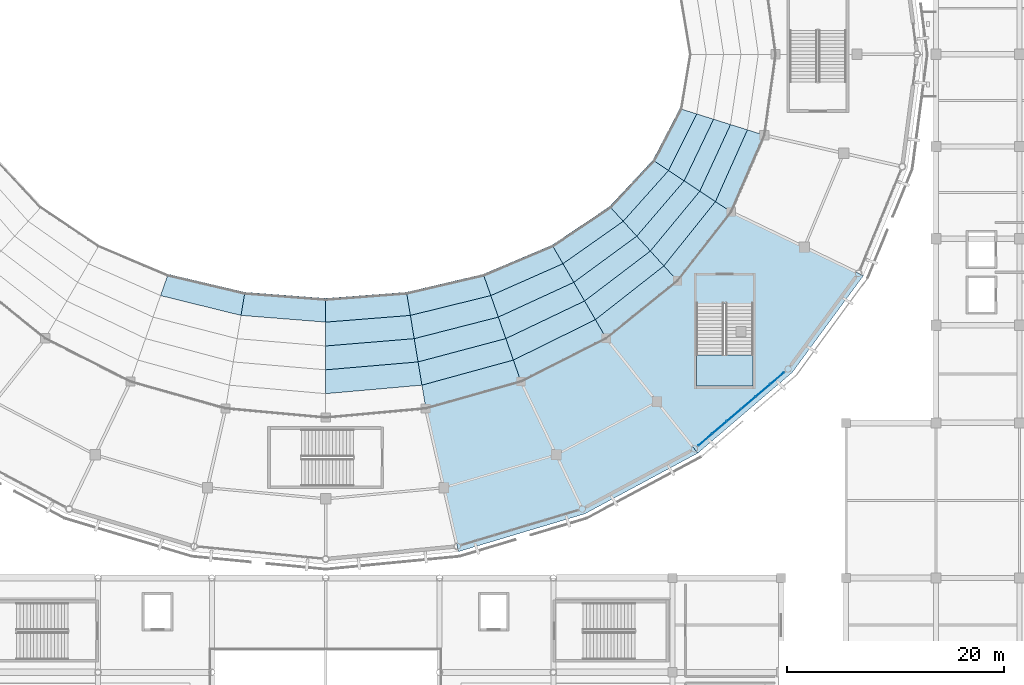
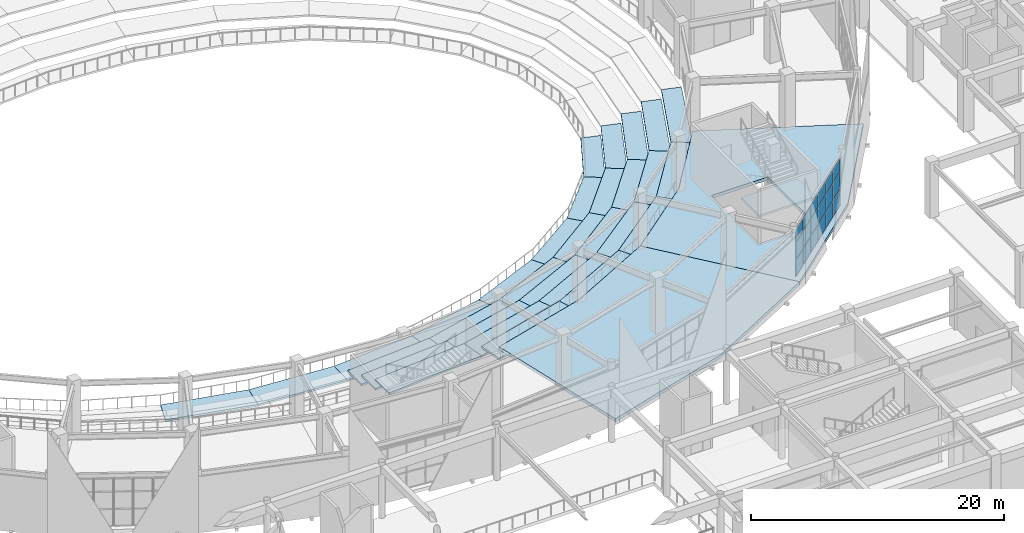
# One storey, part 61 of 120: 34 slabs, 18 plates, 2 elements without a shape of their own.
"""IFC4 building model written with IfcOpenShell, lengths in metres."""

from ifc_helpers import new_model, si_unit, direction, frame, origin, origin_2d, place, context, subcontext, project, spatial, polyline, rectangle, outline, extrude, material, layer, layer_set, type_object, element, aggregate, save


model = new_model("IFC4")

# Units and contexts
model_context = context("Model", 3, precision=1e-05, world=origin(), true_north=direction((0.0, 1.0)))
body_context = subcontext(model_context, "Body", "Model", "MODEL_VIEW")
ifc_project = project(units=[si_unit("LENGTHUNIT", "METRE"), si_unit("AREAUNIT", "SQUARE_METRE"), si_unit("VOLUMEUNIT", "CUBIC_METRE"), si_unit("PLANEANGLEUNIT", "RADIAN"), si_unit("MASSUNIT", "GRAM", prefix="KILO")], contexts=[model_context])

# Site, building, storey
site_placement = place(None, origin())
site = spatial("IfcSite", under=ifc_project, at=site_placement, CompositionType="ELEMENT")
building_placement = place(site_placement, origin())
building = spatial("IfcBuilding", under=site, at=building_placement, Name="Cuetzalor Civic Arena", CompositionType="ELEMENT")
storey_placement = place(building_placement, frame((0.0, 0.0, 6.0)))
storey = spatial("IfcBuildingStorey", under=building, at=storey_placement, Name="L01", CompositionType="ELEMENT", Elevation=6.0)

# Curtain wall, plates
ifc_material_1 = material(Name="Anodised dark bronze aluminium and low-E solar glass", Category="aluminium")
curtain_wall_type = type_object("IfcCurtainWallType", Name="UnitisedCW_10550x4650", PredefinedType="USERDEFINED", material=ifc_material_1)
curtain_wall_placement = place(storey_placement, origin())
curtain_wall = element("IfcCurtainWall", 1, at=curtain_wall_placement, inside=storey, type_object=curtain_wall_type, Name="Drum Triangle Foyer Curtain Wall L01-031", ObjectType="UNITISED CURTAIN WALL", PredefinedType="USERDEFINED")
ifc_material_2 = material(Name="Acoustic laminated solar control glass", Category="glass")
ifc_layer_1 = layer(ifc_material_2, 0.0439453125)
ifc_layer_set_1 = layer_set([ifc_layer_1], Name="Acoustic laminated solar control glass")
plate_type = type_object("IfcPlateType", Name="AcousticTripleGlazedPanel_44", PredefinedType="CURTAIN_PANEL", material=ifc_layer_set_1)
plate_1_placement = place(storey_placement, frame((41.654541015625, -29.871826171875, 0.06982421875), z_axis=(0.0, 0.0, 1.0), x_axis=(-0.760677142663, -0.64913040649, 0.0)))
plate_1 = element("IfcPlate", 2, at=plate_1_placement, type_object=plate_type, Name="CW-10 panel 1.1", PredefinedType="CURTAIN_PANEL", context=body_context, shape_type="SweptSolid", body=[
    extrude(rectangle(XDim=1.650146484375, YDim=0.0439453125, at=origin_2d()), origin(), (0.0, 0.0, 1.0), 1.570068359375),
])
plate_2_placement = place(storey_placement, frame((41.654541015625, -29.871826171875, 1.7099609375), z_axis=(0.0, 0.0, 1.0), x_axis=(-0.760677142663, -0.64913040649, 0.0)))
plate_2 = element("IfcPlate", 3, at=plate_2_placement, type_object=plate_type, Name="CW-10 panel 1.2", PredefinedType="CURTAIN_PANEL", context=body_context, shape_type="SweptSolid", body=[
    extrude(rectangle(XDim=1.650146484375, YDim=0.0439453125, at=origin_2d()), origin(), (0.0, 0.0, 1.0), 1.60498046875),
])
plate_3_placement = place(storey_placement, frame((41.654541015625, -29.871826171875, 3.384765625), z_axis=(0.0, 0.0, 1.0), x_axis=(-0.760677142663, -0.64913040649, 0.0)))
plate_3 = element("IfcPlate", 4, at=plate_3_placement, type_object=plate_type, Name="CW-10 panel 1.3", PredefinedType="CURTAIN_PANEL", context=body_context, shape_type="SweptSolid", body=[
    extrude(rectangle(XDim=1.650146484375, YDim=0.0439453125, at=origin_2d()), origin(), (0.0, 0.0, 1.0), 1.197998046875),
])
plate_4_placement = place(storey_placement, frame((40.332763671875, -31.0, 0.06982421875), z_axis=(0.0, 0.0, 1.0), x_axis=(-0.760677142663, -0.64913040649, 0.0)))
plate_4 = element("IfcPlate", 5, at=plate_4_placement, type_object=plate_type, Name="CW-10 panel 2.1", PredefinedType="CURTAIN_PANEL", context=body_context, shape_type="SweptSolid", body=[
    extrude(rectangle(XDim=1.68505859375, YDim=0.0439453125, at=origin_2d()), origin(), (0.0, 0.0, 1.0), 1.570068359375),
])
plate_5_placement = place(storey_placement, frame((40.332763671875, -31.0, 1.7099609375), z_axis=(0.0, 0.0, 1.0), x_axis=(-0.760677142663, -0.64913040649, 0.0)))
plate_5 = element("IfcPlate", 6, at=plate_5_placement, type_object=plate_type, Name="CW-10 panel 2.2", PredefinedType="CURTAIN_PANEL", context=body_context, shape_type="SweptSolid", body=[
    extrude(rectangle(XDim=1.68505859375, YDim=0.0439453125, at=origin_2d()), origin(), (0.0, 0.0, 1.0), 1.60498046875),
])
plate_6_placement = place(storey_placement, frame((40.332763671875, -31.0, 3.384765625), z_axis=(0.0, 0.0, 1.0), x_axis=(-0.760677142663, -0.64913040649, 0.0)))
plate_6 = element("IfcPlate", 7, at=plate_6_placement, type_object=plate_type, Name="CW-10 panel 2.3", PredefinedType="CURTAIN_PANEL", context=body_context, shape_type="SweptSolid", body=[
    extrude(rectangle(XDim=1.68505859375, YDim=0.0439453125, at=origin_2d()), origin(), (0.0, 0.0, 1.0), 1.197998046875),
])
plate_7_placement = place(storey_placement, frame((38.997802734375, -32.13916015625, 0.06982421875), z_axis=(0.0, 0.0, 1.0), x_axis=(-0.760677142663, -0.64913040649, 0.0)))
plate_7 = element("IfcPlate", 8, at=plate_7_placement, type_object=plate_type, Name="CW-10 panel 3.1", PredefinedType="CURTAIN_PANEL", context=body_context, shape_type="SweptSolid", body=[
    extrude(rectangle(XDim=1.68505859375, YDim=0.0439453125, at=origin_2d()), origin(), (0.0, 0.0, 1.0), 1.570068359375),
])
plate_8_placement = place(storey_placement, frame((38.997802734375, -32.13916015625, 1.7099609375), z_axis=(0.0, 0.0, 1.0), x_axis=(-0.760677142663, -0.64913040649, 0.0)))
plate_8 = element("IfcPlate", 9, at=plate_8_placement, type_object=plate_type, Name="CW-10 panel 3.2", PredefinedType="CURTAIN_PANEL", context=body_context, shape_type="SweptSolid", body=[
    extrude(rectangle(XDim=1.68505859375, YDim=0.0439453125, at=origin_2d()), origin(), (0.0, 0.0, 1.0), 1.60498046875),
])
plate_9_placement = place(storey_placement, frame((38.997802734375, -32.13916015625, 3.384765625), z_axis=(0.0, 0.0, 1.0), x_axis=(-0.760677142663, -0.64913040649, 0.0)))
plate_9 = element("IfcPlate", 10, at=plate_9_placement, type_object=plate_type, Name="CW-10 panel 3.3", PredefinedType="CURTAIN_PANEL", context=body_context, shape_type="SweptSolid", body=[
    extrude(rectangle(XDim=1.68505859375, YDim=0.0439453125, at=origin_2d()), origin(), (0.0, 0.0, 1.0), 1.197998046875),
])
plate_10_placement = place(storey_placement, frame((37.66259765625, -33.278564453125, 0.06982421875), z_axis=(0.0, 0.0, 1.0), x_axis=(-0.760677142663, -0.64913040649, 0.0)))
plate_10 = element("IfcPlate", 11, at=plate_10_placement, type_object=plate_type, Name="CW-10 panel 4.1", PredefinedType="CURTAIN_PANEL", context=body_context, shape_type="SweptSolid", body=[
    extrude(rectangle(XDim=1.68505859375, YDim=0.0439453125, at=origin_2d()), origin(), (0.0, 0.0, 1.0), 1.570068359375),
])
plate_11_placement = place(storey_placement, frame((37.66259765625, -33.278564453125, 1.7099609375), z_axis=(0.0, 0.0, 1.0), x_axis=(-0.760677142663, -0.64913040649, 0.0)))
plate_11 = element("IfcPlate", 12, at=plate_11_placement, type_object=plate_type, Name="CW-10 panel 4.2", PredefinedType="CURTAIN_PANEL", context=body_context, shape_type="SweptSolid", body=[
    extrude(rectangle(XDim=1.68505859375, YDim=0.0439453125, at=origin_2d()), origin(), (0.0, 0.0, 1.0), 1.60498046875),
])
plate_12_placement = place(storey_placement, frame((37.66259765625, -33.278564453125, 3.384765625), z_axis=(0.0, 0.0, 1.0), x_axis=(-0.760677142663, -0.64913040649, 0.0)))
plate_12 = element("IfcPlate", 13, at=plate_12_placement, type_object=plate_type, Name="CW-10 panel 4.3", PredefinedType="CURTAIN_PANEL", context=body_context, shape_type="SweptSolid", body=[
    extrude(rectangle(XDim=1.68505859375, YDim=0.0439453125, at=origin_2d()), origin(), (0.0, 0.0, 1.0), 1.197998046875),
])
plate_13_placement = place(storey_placement, frame((36.327392578125, -34.41796875, 0.06982421875), z_axis=(0.0, 0.0, 1.0), x_axis=(-0.760677142663, -0.64913040649, 0.0)))
plate_13 = element("IfcPlate", 14, at=plate_13_placement, type_object=plate_type, Name="CW-10 panel 5.1", PredefinedType="CURTAIN_PANEL", context=body_context, shape_type="SweptSolid", body=[
    extrude(rectangle(XDim=1.68505859375, YDim=0.0439453125, at=origin_2d()), origin(), (0.0, 0.0, 1.0), 1.570068359375),
])
plate_14_placement = place(storey_placement, frame((36.327392578125, -34.41796875, 1.7099609375), z_axis=(0.0, 0.0, 1.0), x_axis=(-0.760677142663, -0.64913040649, 0.0)))
plate_14 = element("IfcPlate", 15, at=plate_14_placement, type_object=plate_type, Name="CW-10 panel 5.2", PredefinedType="CURTAIN_PANEL", context=body_context, shape_type="SweptSolid", body=[
    extrude(rectangle(XDim=1.68505859375, YDim=0.0439453125, at=origin_2d()), origin(), (0.0, 0.0, 1.0), 1.60498046875),
])
plate_15_placement = place(storey_placement, frame((36.327392578125, -34.41796875, 3.384765625), z_axis=(0.0, 0.0, 1.0), x_axis=(-0.760677142663, -0.64913040649, 0.0)))
plate_15 = element("IfcPlate", 16, at=plate_15_placement, type_object=plate_type, Name="CW-10 panel 5.3", PredefinedType="CURTAIN_PANEL", context=body_context, shape_type="SweptSolid", body=[
    extrude(rectangle(XDim=1.68505859375, YDim=0.0439453125, at=origin_2d()), origin(), (0.0, 0.0, 1.0), 1.197998046875),
])
plate_16_placement = place(storey_placement, frame((35.005615234375, -35.5458984375, 0.06982421875), z_axis=(0.0, 0.0, 1.0), x_axis=(-0.760677142663, -0.64913040649, 0.0)))
plate_16 = element("IfcPlate", 17, at=plate_16_placement, type_object=plate_type, Name="CW-10 panel 6.1", PredefinedType="CURTAIN_PANEL", context=body_context, shape_type="SweptSolid", body=[
    extrude(rectangle(XDim=1.650146484375, YDim=0.0439453125, at=origin_2d()), origin(), (0.0, 0.0, 1.0), 1.570068359375),
])
plate_17_placement = place(storey_placement, frame((35.005615234375, -35.5458984375, 1.7099609375), z_axis=(0.0, 0.0, 1.0), x_axis=(-0.760677142663, -0.64913040649, 0.0)))
plate_17 = element("IfcPlate", 18, at=plate_17_placement, type_object=plate_type, Name="CW-10 panel 6.2", PredefinedType="CURTAIN_PANEL", context=body_context, shape_type="SweptSolid", body=[
    extrude(rectangle(XDim=1.650146484375, YDim=0.0439453125, at=origin_2d()), origin(), (0.0, 0.0, 1.0), 1.60498046875),
])
plate_18_placement = place(storey_placement, frame((35.005615234375, -35.5458984375, 3.384765625), z_axis=(0.0, 0.0, 1.0), x_axis=(-0.760677142663, -0.64913040649, 0.0)))
plate_18 = element("IfcPlate", 19, at=plate_18_placement, type_object=plate_type, Name="CW-10 panel 6.3", PredefinedType="CURTAIN_PANEL", context=body_context, shape_type="SweptSolid", body=[
    extrude(rectangle(XDim=1.650146484375, YDim=0.0439453125, at=origin_2d()), origin(), (0.0, 0.0, 1.0), 1.197998046875),
])
aggregate(curtain_wall, [plate_1, plate_2, plate_3, plate_4, plate_5, plate_6, plate_7, plate_8, plate_9, plate_10, plate_11, plate_12, plate_13, plate_14, plate_15, plate_16, plate_17, plate_18])

# Slabs
ifc_material_3 = material(Name="Concrete C35/45", Category="concrete")
ifc_layer_2 = layer(ifc_material_3, 0.300048828125)
ifc_layer_set_2 = layer_set([ifc_layer_2], Name="Concrete C35/45")
slab_type_1 = type_object("IfcSlabType", Name="ConcourseFloorSlab_300", PredefinedType="FLOOR", material=ifc_layer_set_2)
slab_1_placement = place(storey_placement, frame((0.0, 0.0, -0.300048828125)))
element("IfcSlab", 20, at=slab_1_placement, inside=storey, type_object=slab_type_1, Name="Arena Concourse Sector Slab L01-12", PredefinedType="FLOOR", context=body_context, shape_type="SweptSolid", body=[
    extrude(outline(polyline([(9.234619140625, -32.66015625), (18.006103515625, -30.1826171875), (25.874755859375, -26.19140625), (34.322998046875, -36.78515625), (23.88525390625, -42.390625), (12.249755859375, -45.870361328125), (9.234619140625, -32.66015625)])), origin(), (0.0, 0.0, 1.0), 0.300048828125),
])
slab_2_placement = place(storey_placement, frame((0.0, 0.0, -0.300048828125)))
element("IfcSlab", 21, at=slab_2_placement, inside=storey, type_object=slab_type_1, Name="Arena Concourse Sector Slab L01-13", PredefinedType="FLOOR", context=body_context, shape_type="SweptSolid", body=[
    extrude(outline(polyline([(32.446044921875, -20.886962890625), (37.39013671875, -14.53515625), (49.598388671875, -20.414306640625), (43.039794921875, -29.335205078125), (34.322998046875, -36.78515625), (25.874755859375, -26.19140625), (32.446044921875, -20.886962890625)]), holes=[polyline([(39.39990234375, -30.60009765625), (39.39990234375, -23.0), (34.199951171875, -23.0), (34.199951171875, -30.60009765625), (39.39990234375, -30.60009765625)])]), origin(), (0.0, 0.0, 1.0), 0.300048828125),
])
ifc_material_4 = material(Name="Precast concrete C45/55", Category="concrete")
ifc_layer_3 = layer(ifc_material_4, 0.179931640625)
ifc_layer_set_3 = layer_set([ifc_layer_3], Name="Precast concrete C45/55")
slab_type_2 = type_object("IfcSlabType", Name="LowerBowlSeatingTier_180", PredefinedType="USERDEFINED", material=ifc_layer_set_3)
slab_3_placement = place(storey_placement, frame((0.0, 0.0, -4.97998046875)))
element("IfcSlab", 22, at=slab_3_placement, inside=storey, type_object=slab_type_2, Name="Stand Lower Tier Bay 20 Row 1", ObjectType="SEATING TIER", PredefinedType="USERDEFINED", context=body_context, shape_type="SweptSolid", body=[
    extrude(outline(polyline([(-14.53515625, -20.271728515625), (-7.45458984375, -21.935791015625), (-7.810546875, -24.080810546875), (-15.229248046875, -22.25390625), (-14.53515625, -20.271728515625)])), origin(), (0.0, 0.0, 1.0), 0.179931640625),
])
slab_4_placement = place(storey_placement, frame((0.0, 0.0, -4.97998046875)))
element("IfcSlab", 23, at=slab_4_placement, inside=storey, type_object=slab_type_2, Name="Stand Lower Tier Bay 21 Row 1", ObjectType="SEATING TIER", PredefinedType="USERDEFINED", context=body_context, shape_type="SweptSolid", body=[
    extrude(outline(polyline([(-7.45458984375, -21.935791015625), (0.0, -22.5), (0.0, -24.699951171875), (-7.810546875, -24.080810546875), (-7.45458984375, -21.935791015625)])), origin(), (0.0, 0.0, 1.0), 0.179931640625),
])
slab_5_placement = place(storey_placement, frame((0.0, 0.0, -4.97998046875)))
element("IfcSlab", 24, at=slab_5_placement, inside=storey, type_object=slab_type_2, Name="Stand Lower Tier Bay 22 Row 1", ObjectType="SEATING TIER", PredefinedType="USERDEFINED", context=body_context, shape_type="SweptSolid", body=[
    extrude(outline(polyline([(0.0, -22.5), (7.45458984375, -21.935791015625), (7.810546875, -24.080810546875), (0.0, -24.699951171875), (0.0, -22.5)])), origin(), (0.0, 0.0, 1.0), 0.179931640625),
])
slab_6_placement = place(storey_placement, frame((0.0, 0.0, -4.06005859375)))
element("IfcSlab", 25, at=slab_6_placement, inside=storey, type_object=slab_type_2, Name="Stand Lower Tier Bay 22 Row 2", ObjectType="SEATING TIER", PredefinedType="USERDEFINED", context=body_context, shape_type="SweptSolid", body=[
    extrude(outline(polyline([(0.0, -24.699951171875), (7.810546875, -24.080810546875), (8.16650390625, -26.2255859375), (0.0, -26.89990234375), (0.0, -24.699951171875)])), origin(), (0.0, 0.0, 1.0), 0.18017578125),
])
slab_7_placement = place(storey_placement, frame((0.0, 0.0, -3.139892578125)))
element("IfcSlab", 26, at=slab_7_placement, inside=storey, type_object=slab_type_2, Name="Stand Lower Tier Bay 22 Row 3", ObjectType="SEATING TIER", PredefinedType="USERDEFINED", context=body_context, shape_type="SweptSolid", body=[
    extrude(outline(polyline([(0.0, -26.89990234375), (8.16650390625, -26.2255859375), (8.522705078125, -28.370361328125), (0.0, -29.10009765625), (0.0, -26.89990234375)])), origin(), (0.0, 0.0, 1.0), 0.179931640625),
])
slab_8_placement = place(storey_placement, frame((0.0, 0.0, -2.219970703125)))
element("IfcSlab", 27, at=slab_8_placement, inside=storey, type_object=slab_type_2, Name="Stand Lower Tier Bay 22 Row 4", ObjectType="SEATING TIER", PredefinedType="USERDEFINED", context=body_context, shape_type="SweptSolid", body=[
    extrude(outline(polyline([(0.0, -29.10009765625), (8.522705078125, -28.370361328125), (8.878662109375, -30.51513671875), (0.0, -31.300048828125), (0.0, -29.10009765625)])), origin(), (0.0, 0.0, 1.0), 0.179931640625),
])
slab_9_placement = place(storey_placement, frame((0.0, 0.0, -4.97998046875)))
element("IfcSlab", 28, at=slab_9_placement, inside=storey, type_object=slab_type_2, Name="Stand Lower Tier Bay 23 Row 1", ObjectType="SEATING TIER", PredefinedType="USERDEFINED", context=body_context, shape_type="SweptSolid", body=[
    extrude(outline(polyline([(7.45458984375, -21.935791015625), (14.53515625, -20.271728515625), (15.229248046875, -22.25390625), (7.810546875, -24.080810546875), (7.45458984375, -21.935791015625)])), origin(), (0.0, 0.0, 1.0), 0.179931640625),
])
slab_10_placement = place(storey_placement, frame((0.0, 0.0, -4.06005859375)))
element("IfcSlab", 29, at=slab_10_placement, inside=storey, type_object=slab_type_2, Name="Stand Lower Tier Bay 23 Row 2", ObjectType="SEATING TIER", PredefinedType="USERDEFINED", context=body_context, shape_type="SweptSolid", body=[
    extrude(outline(polyline([(7.810546875, -24.080810546875), (15.229248046875, -22.25390625), (15.923583984375, -24.236083984375), (8.16650390625, -26.2255859375), (7.810546875, -24.080810546875)])), origin(), (0.0, 0.0, 1.0), 0.18017578125),
])
slab_11_placement = place(storey_placement, frame((0.0, 0.0, -3.139892578125)))
element("IfcSlab", 30, at=slab_11_placement, inside=storey, type_object=slab_type_2, Name="Stand Lower Tier Bay 23 Row 3", ObjectType="SEATING TIER", PredefinedType="USERDEFINED", context=body_context, shape_type="SweptSolid", body=[
    extrude(outline(polyline([(8.16650390625, -26.2255859375), (15.923583984375, -24.236083984375), (16.61767578125, -26.21826171875), (8.522705078125, -28.370361328125), (8.16650390625, -26.2255859375)])), origin(), (0.0, 0.0, 1.0), 0.179931640625),
])
slab_12_placement = place(storey_placement, frame((0.0, 0.0, -2.219970703125)))
element("IfcSlab", 31, at=slab_12_placement, inside=storey, type_object=slab_type_2, Name="Stand Lower Tier Bay 23 Row 4", ObjectType="SEATING TIER", PredefinedType="USERDEFINED", context=body_context, shape_type="SweptSolid", body=[
    extrude(outline(polyline([(8.522705078125, -28.370361328125), (16.61767578125, -26.21826171875), (17.31201171875, -28.2001953125), (8.878662109375, -30.51513671875), (8.522705078125, -28.370361328125)])), origin(), (0.0, 0.0, 1.0), 0.179931640625),
])
slab_13_placement = place(storey_placement, frame((0.0, 0.0, -1.300048828125)))
element("IfcSlab", 32, at=slab_13_placement, inside=storey, type_object=slab_type_2, Name="Stand Lower Tier Bay 23 Row 5", ObjectType="SEATING TIER", PredefinedType="USERDEFINED", context=body_context, shape_type="SweptSolid", body=[
    extrude(outline(polyline([(8.878662109375, -30.51513671875), (17.31201171875, -28.2001953125), (18.006103515625, -30.1826171875), (9.234619140625, -32.66015625), (8.878662109375, -30.51513671875)])), origin(), (0.0, 0.0, 1.0), 0.179931640625),
])
slab_14_placement = place(storey_placement, frame((0.0, 0.0, -4.97998046875)))
element("IfcSlab", 33, at=slab_14_placement, inside=storey, type_object=slab_type_2, Name="Stand Lower Tier Bay 24 Row 1", ObjectType="SEATING TIER", PredefinedType="USERDEFINED", context=body_context, shape_type="SweptSolid", body=[
    extrude(outline(polyline([(14.53515625, -20.271728515625), (20.886962890625, -17.59130859375), (21.884521484375, -19.311279296875), (15.229248046875, -22.25390625), (14.53515625, -20.271728515625)])), origin(), (0.0, 0.0, 1.0), 0.179931640625),
])
slab_15_placement = place(storey_placement, frame((0.0, 0.0, -4.06005859375)))
element("IfcSlab", 34, at=slab_15_placement, inside=storey, type_object=slab_type_2, Name="Stand Lower Tier Bay 24 Row 2", ObjectType="SEATING TIER", PredefinedType="USERDEFINED", context=body_context, shape_type="SweptSolid", body=[
    extrude(outline(polyline([(15.229248046875, -22.25390625), (21.884521484375, -19.311279296875), (22.882080078125, -21.03125), (15.923583984375, -24.236083984375), (15.229248046875, -22.25390625)])), origin(), (0.0, 0.0, 1.0), 0.18017578125),
])
slab_16_placement = place(storey_placement, frame((0.0, 0.0, -3.139892578125)))
element("IfcSlab", 35, at=slab_16_placement, inside=storey, type_object=slab_type_2, Name="Stand Lower Tier Bay 24 Row 3", ObjectType="SEATING TIER", PredefinedType="USERDEFINED", context=body_context, shape_type="SweptSolid", body=[
    extrude(outline(polyline([(15.923583984375, -24.236083984375), (22.882080078125, -21.03125), (23.879638671875, -22.751220703125), (16.61767578125, -26.21826171875), (15.923583984375, -24.236083984375)])), origin(), (0.0, 0.0, 1.0), 0.179931640625),
])
slab_17_placement = place(storey_placement, frame((0.0, 0.0, -2.219970703125)))
element("IfcSlab", 36, at=slab_17_placement, inside=storey, type_object=slab_type_2, Name="Stand Lower Tier Bay 24 Row 4", ObjectType="SEATING TIER", PredefinedType="USERDEFINED", context=body_context, shape_type="SweptSolid", body=[
    extrude(outline(polyline([(16.61767578125, -26.21826171875), (23.879638671875, -22.751220703125), (24.877197265625, -24.47119140625), (17.31201171875, -28.2001953125), (16.61767578125, -26.21826171875)])), origin(), (0.0, 0.0, 1.0), 0.179931640625),
])
slab_18_placement = place(storey_placement, frame((0.0, 0.0, -1.300048828125)))
element("IfcSlab", 37, at=slab_18_placement, inside=storey, type_object=slab_type_2, Name="Stand Lower Tier Bay 24 Row 5", ObjectType="SEATING TIER", PredefinedType="USERDEFINED", context=body_context, shape_type="SweptSolid", body=[
    extrude(outline(polyline([(17.31201171875, -28.2001953125), (24.877197265625, -24.47119140625), (25.874755859375, -26.19140625), (18.006103515625, -30.1826171875), (17.31201171875, -28.2001953125)])), origin(), (0.0, 0.0, 1.0), 0.179931640625),
])
slab_19_placement = place(storey_placement, frame((0.0, 0.0, -4.97998046875)))
element("IfcSlab", 38, at=slab_19_placement, inside=storey, type_object=slab_type_2, Name="Stand Lower Tier Bay 25 Row 1", ObjectType="SEATING TIER", PredefinedType="USERDEFINED", context=body_context, shape_type="SweptSolid", body=[
    extrude(outline(polyline([(20.886962890625, -17.59130859375), (26.19140625, -14.028564453125), (27.4423828125, -15.400146484375), (21.884521484375, -19.311279296875), (20.886962890625, -17.59130859375)])), origin(), (0.0, 0.0, 1.0), 0.179931640625),
])
slab_20_placement = place(storey_placement, frame((0.0, 0.0, -4.06005859375)))
element("IfcSlab", 39, at=slab_20_placement, inside=storey, type_object=slab_type_2, Name="Stand Lower Tier Bay 25 Row 2", ObjectType="SEATING TIER", PredefinedType="USERDEFINED", context=body_context, shape_type="SweptSolid", body=[
    extrude(outline(polyline([(21.884521484375, -19.311279296875), (27.4423828125, -15.400146484375), (28.693115234375, -16.77197265625), (22.882080078125, -21.03125), (21.884521484375, -19.311279296875)])), origin(), (0.0, 0.0, 1.0), 0.18017578125),
])
slab_21_placement = place(storey_placement, frame((0.0, 0.0, -3.139892578125)))
element("IfcSlab", 40, at=slab_21_placement, inside=storey, type_object=slab_type_2, Name="Stand Lower Tier Bay 25 Row 3", ObjectType="SEATING TIER", PredefinedType="USERDEFINED", context=body_context, shape_type="SweptSolid", body=[
    extrude(outline(polyline([(22.882080078125, -21.03125), (28.693115234375, -16.77197265625), (29.944091796875, -18.1435546875), (23.879638671875, -22.751220703125), (22.882080078125, -21.03125)])), origin(), (0.0, 0.0, 1.0), 0.179931640625),
])
slab_22_placement = place(storey_placement, frame((0.0, 0.0, -2.219970703125)))
element("IfcSlab", 41, at=slab_22_placement, inside=storey, type_object=slab_type_2, Name="Stand Lower Tier Bay 25 Row 4", ObjectType="SEATING TIER", PredefinedType="USERDEFINED", context=body_context, shape_type="SweptSolid", body=[
    extrude(outline(polyline([(23.879638671875, -22.751220703125), (29.944091796875, -18.1435546875), (31.195068359375, -19.51513671875), (24.877197265625, -24.47119140625), (23.879638671875, -22.751220703125)])), origin(), (0.0, 0.0, 1.0), 0.179931640625),
])
slab_23_placement = place(storey_placement, frame((0.0, 0.0, -1.300048828125)))
element("IfcSlab", 42, at=slab_23_placement, inside=storey, type_object=slab_type_2, Name="Stand Lower Tier Bay 25 Row 5", ObjectType="SEATING TIER", PredefinedType="USERDEFINED", context=body_context, shape_type="SweptSolid", body=[
    extrude(outline(polyline([(24.877197265625, -24.47119140625), (31.195068359375, -19.51513671875), (32.446044921875, -20.886962890625), (25.874755859375, -26.19140625), (24.877197265625, -24.47119140625)])), origin(), (0.0, 0.0, 1.0), 0.179931640625),
])
slab_24_placement = place(storey_placement, frame((0.0, 0.0, -4.97998046875)))
element("IfcSlab", 43, at=slab_24_placement, inside=storey, type_object=slab_type_2, Name="Stand Lower Tier Bay 26 Row 1", ObjectType="SEATING TIER", PredefinedType="USERDEFINED", context=body_context, shape_type="SweptSolid", body=[
    extrude(outline(polyline([(26.19140625, -14.028564453125), (30.1826171875, -9.762451171875), (31.6240234375, -10.716796875), (27.4423828125, -15.400146484375), (26.19140625, -14.028564453125)])), origin(), (0.0, 0.0, 1.0), 0.179931640625),
])
slab_25_placement = place(storey_placement, frame((0.0, 0.0, -4.06005859375)))
element("IfcSlab", 44, at=slab_25_placement, inside=storey, type_object=slab_type_2, Name="Stand Lower Tier Bay 26 Row 2", ObjectType="SEATING TIER", PredefinedType="USERDEFINED", context=body_context, shape_type="SweptSolid", body=[
    extrude(outline(polyline([(27.4423828125, -15.400146484375), (31.6240234375, -10.716796875), (33.065673828125, -11.67138671875), (28.693115234375, -16.77197265625), (27.4423828125, -15.400146484375)])), origin(), (0.0, 0.0, 1.0), 0.18017578125),
])
slab_26_placement = place(storey_placement, frame((0.0, 0.0, -3.139892578125)))
element("IfcSlab", 45, at=slab_26_placement, inside=storey, type_object=slab_type_2, Name="Stand Lower Tier Bay 26 Row 3", ObjectType="SEATING TIER", PredefinedType="USERDEFINED", context=body_context, shape_type="SweptSolid", body=[
    extrude(outline(polyline([(28.693115234375, -16.77197265625), (33.065673828125, -11.67138671875), (34.507080078125, -12.6259765625), (29.944091796875, -18.1435546875), (28.693115234375, -16.77197265625)])), origin(), (0.0, 0.0, 1.0), 0.179931640625),
])
slab_27_placement = place(storey_placement, frame((0.0, 0.0, -2.219970703125)))
element("IfcSlab", 46, at=slab_27_placement, inside=storey, type_object=slab_type_2, Name="Stand Lower Tier Bay 26 Row 4", ObjectType="SEATING TIER", PredefinedType="USERDEFINED", context=body_context, shape_type="SweptSolid", body=[
    extrude(outline(polyline([(29.944091796875, -18.1435546875), (34.507080078125, -12.6259765625), (35.94873046875, -13.58056640625), (31.195068359375, -19.51513671875), (29.944091796875, -18.1435546875)])), origin(), (0.0, 0.0, 1.0), 0.179931640625),
])
slab_28_placement = place(storey_placement, frame((0.0, 0.0, -1.300048828125)))
element("IfcSlab", 47, at=slab_28_placement, inside=storey, type_object=slab_type_2, Name="Stand Lower Tier Bay 26 Row 5", ObjectType="SEATING TIER", PredefinedType="USERDEFINED", context=body_context, shape_type="SweptSolid", body=[
    extrude(outline(polyline([(31.195068359375, -19.51513671875), (35.94873046875, -13.58056640625), (37.39013671875, -14.53515625), (32.446044921875, -20.886962890625), (31.195068359375, -19.51513671875)])), origin(), (0.0, 0.0, 1.0), 0.179931640625),
])
slab_29_placement = place(storey_placement, frame((0.0, 0.0, -4.97998046875)))
element("IfcSlab", 48, at=slab_29_placement, inside=storey, type_object=slab_type_2, Name="Stand Lower Tier Bay 27 Row 1", ObjectType="SEATING TIER", PredefinedType="USERDEFINED", context=body_context, shape_type="SweptSolid", body=[
    extrude(outline(polyline([(30.1826171875, -9.762451171875), (32.66015625, -5.006591796875), (34.219970703125, -5.496337890625), (31.6240234375, -10.716796875), (30.1826171875, -9.762451171875)])), origin(), (0.0, 0.0, 1.0), 0.179931640625),
])
slab_30_placement = place(storey_placement, frame((0.0, 0.0, -4.06005859375)))
element("IfcSlab", 49, at=slab_30_placement, inside=storey, type_object=slab_type_2, Name="Stand Lower Tier Bay 27 Row 2", ObjectType="SEATING TIER", PredefinedType="USERDEFINED", context=body_context, shape_type="SweptSolid", body=[
    extrude(outline(polyline([(31.6240234375, -10.716796875), (34.219970703125, -5.496337890625), (35.77978515625, -5.98583984375), (33.065673828125, -11.67138671875), (31.6240234375, -10.716796875)])), origin(), (0.0, 0.0, 1.0), 0.18017578125),
])
slab_31_placement = place(storey_placement, frame((0.0, 0.0, -3.139892578125)))
element("IfcSlab", 50, at=slab_31_placement, inside=storey, type_object=slab_type_2, Name="Stand Lower Tier Bay 27 Row 3", ObjectType="SEATING TIER", PredefinedType="USERDEFINED", context=body_context, shape_type="SweptSolid", body=[
    extrude(outline(polyline([(33.065673828125, -11.67138671875), (35.77978515625, -5.98583984375), (37.339599609375, -6.475341796875), (34.507080078125, -12.6259765625), (33.065673828125, -11.67138671875)])), origin(), (0.0, 0.0, 1.0), 0.179931640625),
])
slab_32_placement = place(storey_placement, frame((0.0, 0.0, -2.219970703125)))
element("IfcSlab", 51, at=slab_32_placement, inside=storey, type_object=slab_type_2, Name="Stand Lower Tier Bay 27 Row 4", ObjectType="SEATING TIER", PredefinedType="USERDEFINED", context=body_context, shape_type="SweptSolid", body=[
    extrude(outline(polyline([(34.507080078125, -12.6259765625), (37.339599609375, -6.475341796875), (38.899658203125, -6.96484375), (35.94873046875, -13.58056640625), (34.507080078125, -12.6259765625)])), origin(), (0.0, 0.0, 1.0), 0.179931640625),
])
slab_33_placement = place(storey_placement, frame((0.0, 0.0, -1.300048828125)))
element("IfcSlab", 52, at=slab_33_placement, inside=storey, type_object=slab_type_2, Name="Stand Lower Tier Bay 27 Row 5", ObjectType="SEATING TIER", PredefinedType="USERDEFINED", context=body_context, shape_type="SweptSolid", body=[
    extrude(outline(polyline([(35.94873046875, -13.58056640625), (38.899658203125, -6.96484375), (40.45947265625, -7.45458984375), (37.39013671875, -14.53515625), (35.94873046875, -13.58056640625)])), origin(), (0.0, 0.0, 1.0), 0.179931640625),
])

# Stair, slab
ifc_material_5 = material(Name="Precast concrete C40/50", Category="concrete")
stair_type = type_object("IfcStairType", Name="EnclosedExitStair_H540", PredefinedType="HALF_TURN_STAIR", material=ifc_material_5)
stair_placement = place(storey_placement, origin())
stair = element("IfcStair", 53, at=stair_placement, inside=storey, type_object=stair_type, Name="L01 Enclosed Exit Stair ST-08", PredefinedType="HALF_TURN_STAIR")
ifc_material_6 = material(Name="Concrete C40/50", Category="concrete")
ifc_layer_4 = layer(ifc_material_6, 0.199951171875)
ifc_layer_set_4 = layer_set([ifc_layer_4], Name="Concrete C40/50")
slab_type_3 = type_object("IfcSlabType", Name="StairHalfLandingSlab_200", PredefinedType="LANDING", material=ifc_layer_set_4)
slab_34_placement = place(storey_placement, frame((0.0, 0.0, 2.5)))
slab_34 = element("IfcSlab", 54, at=slab_34_placement, type_object=slab_type_3, Name="ST-08 landing 1", PredefinedType="LANDING", context=body_context, shape_type="SweptSolid", body=[
    extrude(outline(polyline([(34.199951171875, -27.719970703125), (34.199951171875, -30.60009765625), (39.39990234375, -30.60009765625), (39.39990234375, -27.719970703125), (34.199951171875, -27.719970703125)])), origin(), (0.0, 0.0, 1.0), 0.199951171875),
])
aggregate(stair, [slab_34])

save(model, "model.ifc")
